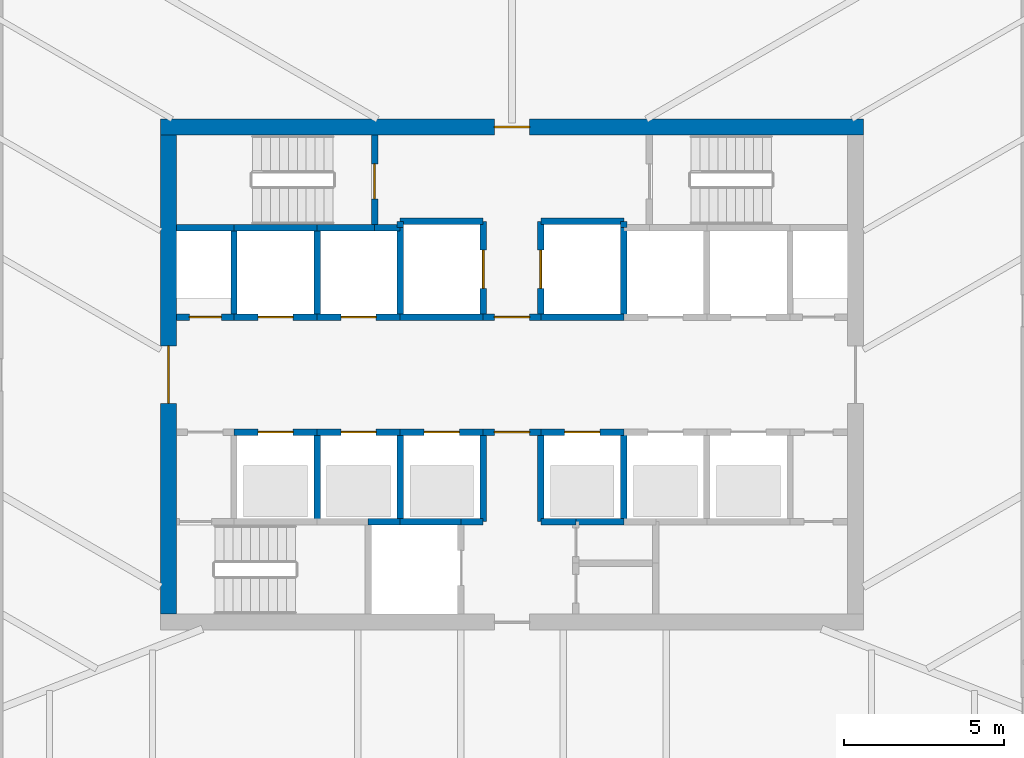
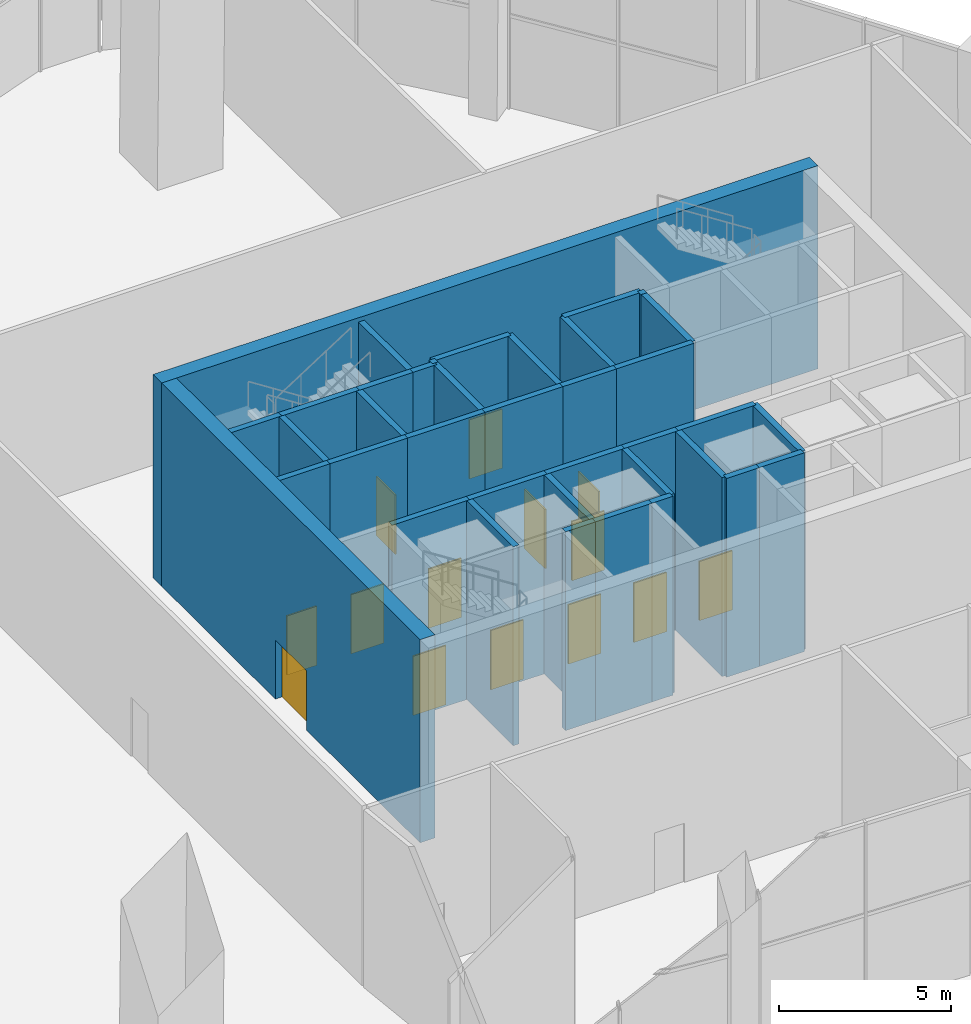
# One storey, part 10 of 15: 38 walls, 14 doors, 14 openings.
"""IFC4 building model written with IfcOpenShell, lengths in metres."""

from ifc_helpers import new_model, si_unit, direction, frame, frame_2d, origin, place, context, subcontext, project, spatial, rectangle, extrude, material, layer, layer_set, type_object, element, fill, save


model = new_model("IFC4")

# Units and contexts
model_context = context("Model", 3, precision=1e-05, world=origin(), true_north=direction((0.0, 1.0)))
body_context = subcontext(model_context, "Body", "Model", "MODEL_VIEW")
ifc_project = project(units=[si_unit("LENGTHUNIT", "METRE"), si_unit("AREAUNIT", "SQUARE_METRE"), si_unit("VOLUMEUNIT", "CUBIC_METRE"), si_unit("PLANEANGLEUNIT", "RADIAN"), si_unit("MASSUNIT", "GRAM", prefix="KILO")], contexts=[model_context])

# Site, building, storey
site_placement = place(None, origin())
site = spatial("IfcSite", under=ifc_project, at=site_placement, CompositionType="ELEMENT")
building_placement = place(site_placement, origin())
building = spatial("IfcBuilding", under=site, at=building_placement, Name="Sierra Prisma Convention Tower", CompositionType="ELEMENT")
storey_placement = place(building_placement, frame((0.0, 0.0, 219.800048828125)))
storey = spatial("IfcBuildingStorey", under=building, at=storey_placement, Name="L49", CompositionType="ELEMENT", Elevation=219.800048828125)

# Wall, opening, door
ifc_material_1 = material(Name="Concrete C30/37", Category="concrete")
ifc_layer_1 = layer(ifc_material_1, 0.199951171875)
ifc_layer_set_1 = layer_set([ifc_layer_1], Name="Core wall RC 200 C30/37")
wall_type_1 = type_object("IfcWallType", Name="Core wall RC 200 C30/37", PredefinedType="SOLIDWALL", material=ifc_layer_set_1)
wall_1_placement = place(storey_placement, frame((-8.699951171875, 1.800048828125, 0.0), z_axis=(0.0, 0.0, 1.0), x_axis=(-1.0, 0.0, 0.0)))
wall_1 = element("IfcWall", 1, at=wall_1_placement, inside=storey, type_object=wall_type_1, Name="Core wall L49 3", PredefinedType="SOLIDWALL", context=body_context, shape_type="SweptSolid", body=[
    extrude(rectangle(XDim=1.800048828125, YDim=0.199951171875, at=frame_2d((0.89990234375, 0.0))), origin(), (0.0, 0.0, 1.0), 7.050048828125),
])
opening_1_placement = place(wall_1_placement, frame((0.39990234375, 0.0, 0.0)))
opening_1 = element("IfcOpeningElement", 2, at=opening_1_placement, cuts=wall_1, Name="Opening L49-D017", PredefinedType="OPENING", context=body_context, shape_type="SweptSolid", body=[
    extrude(rectangle(XDim=1.0, YDim=2.10009765625, at=frame_2d((0.5, 1.050048828125))), frame((0.0, 0.10009765625, 0.0), z_axis=(0.0, -1.0, 0.0), x_axis=(1.0, 0.0, 0.0)), (0.0, 0.0, 1.0), 0.199951171875),
])
ifc_material_2 = material(Name="Steel fire door leaf", Category="steel")
door_type_1 = type_object("IfcDoorType", Name="Door 1000x2100 FD60S", OperationType="SINGLE_SWING_LEFT", PredefinedType="DOOR", material=ifc_material_2)
door_1_placement = place(opening_1_placement, origin())
door_1 = element("IfcDoor", 3, at=door_1_placement, inside=storey, type_object=door_type_1, Name="Door L49 26", OperationType="SINGLE_SWING_LEFT", OverallHeight=2.10009765625, OverallWidth=1.0, PredefinedType="DOOR", context=body_context, shape_type="SweptSolid", body=[
    extrude(rectangle(XDim=1.0, YDim=2.10009765625, at=frame_2d((0.5, 1.050048828125))), frame((0.0, 0.02490234375, 0.0), z_axis=(0.0, -1.0, 0.0), x_axis=(1.0, 0.0, 0.0)), (0.0, 0.0, 1.0), 0.050048828125),
])
fill(opening_1, door_1)

# Wall
wall_2_placement = place(storey_placement, frame((-8.699951171875, 4.60009765625, 0.0), z_axis=(0.0, 0.0, 1.0), x_axis=(-1.0, 0.0, 0.0)))
element("IfcWall", 4, at=wall_2_placement, inside=storey, type_object=wall_type_1, Name="Core wall L49 4", PredefinedType="SOLIDWALL", context=body_context, shape_type="SweptSolid", body=[
    extrude(rectangle(XDim=1.800048828125, YDim=0.199951171875, at=frame_2d((0.89990234375, 0.0))), origin(), (0.0, 0.0, 1.0), 7.050048828125),
])

# Wall, opening, door
wall_3_placement = place(storey_placement, frame((-8.699951171875, -1.800048828125, 0.0), z_axis=(0.0, 0.0, 1.0), x_axis=(1.0, 0.0, 0.0)))
wall_3 = element("IfcWall", 5, at=wall_3_placement, inside=storey, type_object=wall_type_1, Name="Core wall L49 7", PredefinedType="SOLIDWALL", context=body_context, shape_type="SweptSolid", body=[
    extrude(rectangle(XDim=2.599853515625, YDim=0.199951171875, at=frame_2d((1.2998046875, 0.0))), origin(), (0.0, 0.0, 1.0), 7.050048828125),
])
opening_2_placement = place(wall_3_placement, frame((0.75, 0.0, 0.0)))
opening_2 = element("IfcOpeningElement", 6, at=opening_2_placement, cuts=wall_3, Name="Opening L49-D001", PredefinedType="OPENING", context=body_context, shape_type="SweptSolid", body=[
    extrude(rectangle(XDim=1.10009765625, YDim=2.10009765625, at=frame_2d((0.550048828125, 1.050048828125))), frame((0.0, 0.10009765625, 0.0), z_axis=(0.0, -1.0, 0.0), x_axis=(1.0, 0.0, 0.0)), (0.0, 0.0, 1.0), 0.199951171875),
])
ifc_material_3 = material(Name="Steel fire door leaf", Category="steel")
door_type_2 = type_object("IfcDoorType", Name="Door 1100x2100 EI 90 sliding lift landing", OperationType="SLIDING_TO_LEFT", PredefinedType="DOOR", material=ifc_material_3)
door_2_placement = place(opening_2_placement, origin())
door_2 = element("IfcDoor", 7, at=door_2_placement, inside=storey, type_object=door_type_2, Name="Door L49 10", OperationType="SLIDING_TO_LEFT", OverallHeight=2.10009765625, OverallWidth=1.10009765625, PredefinedType="DOOR", context=body_context, shape_type="SweptSolid", body=[
    extrude(rectangle(XDim=1.10009765625, YDim=2.10009765625, at=frame_2d((0.550048828125, 1.050048828125))), frame((0.0, 0.02490234375, 0.0), z_axis=(0.0, -1.0, 0.0), x_axis=(1.0, 0.0, 0.0)), (0.0, 0.0, 1.0), 0.050048828125),
])
fill(opening_2, door_2)

wall_4_placement = place(storey_placement, frame((-6.10009765625, 1.800048828125, 0.0), z_axis=(0.0, 0.0, 1.0), x_axis=(-1.0, 0.0, 0.0)))
wall_4 = element("IfcWall", 8, at=wall_4_placement, inside=storey, type_object=wall_type_1, Name="Core wall L49 8", PredefinedType="SOLIDWALL", context=body_context, shape_type="SweptSolid", body=[
    extrude(rectangle(XDim=2.599853515625, YDim=0.199951171875, at=frame_2d((1.2998046875, 0.0))), origin(), (0.0, 0.0, 1.0), 7.050048828125),
])
opening_3_placement = place(wall_4_placement, frame((0.75, 0.0, 0.0)))
opening_3 = element("IfcOpeningElement", 9, at=opening_3_placement, cuts=wall_4, Name="Opening L49-D007", PredefinedType="OPENING", context=body_context, shape_type="SweptSolid", body=[
    extrude(rectangle(XDim=1.10009765625, YDim=2.10009765625, at=frame_2d((0.550048828125, 1.050048828125))), frame((0.0, 0.10009765625, 0.0), z_axis=(0.0, -1.0, 0.0), x_axis=(1.0, 0.0, 0.0)), (0.0, 0.0, 1.0), 0.199951171875),
])
door_3_placement = place(opening_3_placement, origin())
door_3 = element("IfcDoor", 10, at=door_3_placement, inside=storey, type_object=door_type_2, Name="Door L49 16", OperationType="SLIDING_TO_RIGHT", OverallHeight=2.10009765625, OverallWidth=1.10009765625, PredefinedType="DOOR", context=body_context, shape_type="SweptSolid", body=[
    extrude(rectangle(XDim=1.10009765625, YDim=2.10009765625, at=frame_2d((0.550048828125, 1.050048828125))), frame((0.0, 0.02490234375, 0.0), z_axis=(0.0, -1.0, 0.0), x_axis=(1.0, 0.0, 0.0)), (0.0, 0.0, 1.0), 0.050048828125),
])
fill(opening_3, door_3)

# Walls
wall_5_placement = place(storey_placement, frame((-8.699951171875, 1.800048828125, 0.0), z_axis=(0.0, 0.0, 1.0), x_axis=(0.0, 1.0, 0.0)))
element("IfcWall", 11, at=wall_5_placement, inside=storey, type_object=wall_type_1, Name="Core wall L49 9", PredefinedType="SOLIDWALL", context=body_context, shape_type="SweptSolid", body=[
    extrude(rectangle(XDim=2.800048828125, YDim=0.199951171875, at=frame_2d((1.39990234375, 0.0))), origin(), (0.0, 0.0, 1.0), 7.050048828125),
])
wall_6_placement = place(storey_placement, frame((-6.10009765625, 4.60009765625, 0.0), z_axis=(0.0, 0.0, 1.0), x_axis=(-1.0, 0.0, 0.0)))
element("IfcWall", 12, at=wall_6_placement, inside=storey, type_object=wall_type_1, Name="Core wall L49 10", PredefinedType="SOLIDWALL", context=body_context, shape_type="SweptSolid", body=[
    extrude(rectangle(XDim=2.599853515625, YDim=0.199951171875, at=frame_2d((1.2998046875, 0.0))), origin(), (0.0, 0.0, 1.0), 7.050048828125),
])
wall_7_placement = place(storey_placement, frame((-6.10009765625, -4.60009765625, 0.0), z_axis=(0.0, 0.0, 1.0), x_axis=(0.0, 1.0, 0.0)))
element("IfcWall", 13, at=wall_7_placement, inside=storey, type_object=wall_type_1, Name="Core wall L49 12", PredefinedType="SOLIDWALL", context=body_context, shape_type="SweptSolid", body=[
    extrude(rectangle(XDim=2.800048828125, YDim=0.199951171875, at=frame_2d((1.39990234375, 0.0))), origin(), (0.0, 0.0, 1.0), 7.050048828125),
])

# Wall, opening, door
wall_8_placement = place(storey_placement, frame((-6.10009765625, -1.800048828125, 0.0), z_axis=(0.0, 0.0, 1.0), x_axis=(1.0, 0.0, 0.0)))
wall_8 = element("IfcWall", 14, at=wall_8_placement, inside=storey, type_object=wall_type_1, Name="Core wall L49 13", PredefinedType="SOLIDWALL", context=body_context, shape_type="SweptSolid", body=[
    extrude(rectangle(XDim=2.60009765625, YDim=0.199951171875, at=frame_2d((1.300048828125, 0.0))), origin(), (0.0, 0.0, 1.0), 7.050048828125),
])
opening_4_placement = place(wall_8_placement, frame((0.75, 0.0, 0.0)))
opening_4 = element("IfcOpeningElement", 15, at=opening_4_placement, cuts=wall_8, Name="Opening L49-D002", PredefinedType="OPENING", context=body_context, shape_type="SweptSolid", body=[
    extrude(rectangle(XDim=1.10009765625, YDim=2.10009765625, at=frame_2d((0.550048828125, 1.050048828125))), frame((0.0, 0.10009765625, 0.0), z_axis=(0.0, -1.0, 0.0), x_axis=(1.0, 0.0, 0.0)), (0.0, 0.0, 1.0), 0.199951171875),
])
door_4_placement = place(opening_4_placement, origin())
door_4 = element("IfcDoor", 16, at=door_4_placement, inside=storey, type_object=door_type_2, Name="Door L49 11", OperationType="SLIDING_TO_LEFT", OverallHeight=2.10009765625, OverallWidth=1.10009765625, PredefinedType="DOOR", context=body_context, shape_type="SweptSolid", body=[
    extrude(rectangle(XDim=1.10009765625, YDim=2.10009765625, at=frame_2d((0.550048828125, 1.050048828125))), frame((0.0, 0.02490234375, 0.0), z_axis=(0.0, -1.0, 0.0), x_axis=(1.0, 0.0, 0.0)), (0.0, 0.0, 1.0), 0.050048828125),
])
fill(opening_4, door_4)

wall_9_placement = place(storey_placement, frame((-3.5, 1.800048828125, 0.0), z_axis=(0.0, 0.0, 1.0), x_axis=(-1.0, 0.0, 0.0)))
wall_9 = element("IfcWall", 17, at=wall_9_placement, inside=storey, type_object=wall_type_1, Name="Core wall L49 14", PredefinedType="SOLIDWALL", context=body_context, shape_type="SweptSolid", body=[
    extrude(rectangle(XDim=2.60009765625, YDim=0.199951171875, at=frame_2d((1.300048828125, 0.0))), origin(), (0.0, 0.0, 1.0), 7.050048828125),
])
opening_5_placement = place(wall_9_placement, frame((0.75, 0.0, 0.0)))
opening_5 = element("IfcOpeningElement", 18, at=opening_5_placement, cuts=wall_9, Name="Opening L49-D008", PredefinedType="OPENING", context=body_context, shape_type="SweptSolid", body=[
    extrude(rectangle(XDim=1.10009765625, YDim=2.10009765625, at=frame_2d((0.550048828125, 1.050048828125))), frame((0.0, 0.10009765625, 0.0), z_axis=(0.0, -1.0, 0.0), x_axis=(1.0, 0.0, 0.0)), (0.0, 0.0, 1.0), 0.199951171875),
])
door_5_placement = place(opening_5_placement, origin())
door_5 = element("IfcDoor", 19, at=door_5_placement, inside=storey, type_object=door_type_2, Name="Door L49 17", OperationType="SLIDING_TO_LEFT", OverallHeight=2.10009765625, OverallWidth=1.10009765625, PredefinedType="DOOR", context=body_context, shape_type="SweptSolid", body=[
    extrude(rectangle(XDim=1.10009765625, YDim=2.10009765625, at=frame_2d((0.550048828125, 1.050048828125))), frame((0.0, 0.02490234375, 0.0), z_axis=(0.0, -1.0, 0.0), x_axis=(1.0, 0.0, 0.0)), (0.0, 0.0, 1.0), 0.050048828125),
])
fill(opening_5, door_5)

# Walls
wall_10_placement = place(storey_placement, frame((-6.10009765625, 1.800048828125, 0.0), z_axis=(0.0, 0.0, 1.0), x_axis=(0.0, 1.0, 0.0)))
element("IfcWall", 20, at=wall_10_placement, inside=storey, type_object=wall_type_1, Name="Core wall L49 15", PredefinedType="SOLIDWALL", context=body_context, shape_type="SweptSolid", body=[
    extrude(rectangle(XDim=2.800048828125, YDim=0.199951171875, at=frame_2d((1.39990234375, 0.0))), origin(), (0.0, 0.0, 1.0), 7.050048828125),
])
wall_11_placement = place(storey_placement, frame((-4.300048828125, 4.60009765625, 0.0), z_axis=(0.0, 0.0, 1.0), x_axis=(-1.0, 0.0, 0.0)))
element("IfcWall", 21, at=wall_11_placement, inside=storey, type_object=wall_type_1, Name="Core wall L49 16", PredefinedType="SOLIDWALL", context=body_context, shape_type="SweptSolid", body=[
    extrude(rectangle(XDim=1.800048828125, YDim=0.199951171875, at=frame_2d((0.89990234375, 0.0))), origin(), (0.0, 0.0, 1.0), 7.050048828125),
])
wall_12_placement = place(storey_placement, frame((-4.5, -4.60009765625, 0.0), z_axis=(0.0, 0.0, 1.0), x_axis=(1.0, 0.0, 0.0)))
element("IfcWall", 22, at=wall_12_placement, inside=storey, type_object=wall_type_1, Name="Core wall L49 18", PredefinedType="SOLIDWALL", context=body_context, shape_type="SweptSolid", body=[
    extrude(rectangle(XDim=1.0, YDim=0.199951171875, at=frame_2d((0.5, 0.0))), origin(), (0.0, 0.0, 1.0), 7.050048828125),
])
wall_13_placement = place(storey_placement, frame((-3.5, 4.60009765625, 0.0), z_axis=(0.0, 0.0, 1.0), x_axis=(-1.0, 0.0, 0.0)))
element("IfcWall", 23, at=wall_13_placement, inside=storey, type_object=wall_type_1, Name="Core wall L49 19", PredefinedType="SOLIDWALL", context=body_context, shape_type="SweptSolid", body=[
    extrude(rectangle(XDim=0.800048828125, YDim=0.199951171875, at=frame_2d((0.39990234375, 0.0))), origin(), (0.0, 0.0, 1.0), 7.050048828125),
])

# Wall, opening, door
wall_14_placement = place(storey_placement, frame((-4.300048828125, 4.60009765625, 0.0), z_axis=(0.0, 0.0, 1.0), x_axis=(0.0, 1.0, 0.0)))
wall_14 = element("IfcWall", 24, at=wall_14_placement, inside=storey, type_object=wall_type_1, Name="Core wall L49 20", PredefinedType="SOLIDWALL", context=body_context, shape_type="SweptSolid", body=[
    extrude(rectangle(XDim=2.89990234375, YDim=0.199951171875, at=frame_2d((1.449951171875, 0.0))), origin(), (0.0, 0.0, 1.0), 7.050048828125),
])
opening_6_placement = place(wall_14_placement, frame((0.89990234375, 0.0, 0.0)))
opening_6 = element("IfcOpeningElement", 25, at=opening_6_placement, cuts=wall_14, Name="Opening L49-D020", PredefinedType="OPENING", context=body_context, shape_type="SweptSolid", body=[
    extrude(rectangle(XDim=1.10009765625, YDim=2.10009765625, at=frame_2d((0.550048828125, 1.050048828125))), frame((0.0, 0.10009765625, 0.0), z_axis=(0.0, -1.0, 0.0), x_axis=(1.0, 0.0, 0.0)), (0.0, 0.0, 1.0), 0.199951171875),
])
ifc_material_4 = material(Name="Steel fire door leaf", Category="steel")
door_type_3 = type_object("IfcDoorType", Name="Door 1100x2100 FD90S", OperationType="SINGLE_SWING_LEFT", PredefinedType="DOOR", material=ifc_material_4)
door_6_placement = place(opening_6_placement, origin())
door_6 = element("IfcDoor", 26, at=door_6_placement, inside=storey, type_object=door_type_3, Name="Door L49 29", OperationType="SINGLE_SWING_LEFT", OverallHeight=2.10009765625, OverallWidth=1.10009765625, PredefinedType="DOOR", context=body_context, shape_type="SweptSolid", body=[
    extrude(rectangle(XDim=1.10009765625, YDim=2.10009765625, at=frame_2d((0.550048828125, 1.050048828125))), frame((0.0, 0.02490234375, 0.0), z_axis=(0.0, -1.0, 0.0), x_axis=(1.0, 0.0, 0.0)), (0.0, 0.0, 1.0), 0.050048828125),
])
fill(opening_6, door_6)

# Walls
wall_15_placement = place(storey_placement, frame((-3.5, -4.60009765625, 0.0), z_axis=(0.0, 0.0, 1.0), x_axis=(1.0, 0.0, 0.0)))
element("IfcWall", 27, at=wall_15_placement, inside=storey, type_object=wall_type_1, Name="Core wall L49 21", PredefinedType="SOLIDWALL", context=body_context, shape_type="SweptSolid", body=[
    extrude(rectangle(XDim=1.89990234375, YDim=0.199951171875, at=frame_2d((0.949951171875, 0.0))), origin(), (0.0, 0.0, 1.0), 7.050048828125),
])
wall_16_placement = place(storey_placement, frame((-3.5, -4.60009765625, 0.0), z_axis=(0.0, 0.0, 1.0), x_axis=(0.0, 1.0, 0.0)))
element("IfcWall", 28, at=wall_16_placement, inside=storey, type_object=wall_type_1, Name="Core wall L49 22", PredefinedType="SOLIDWALL", context=body_context, shape_type="SweptSolid", body=[
    extrude(rectangle(XDim=2.800048828125, YDim=0.199951171875, at=frame_2d((1.39990234375, 0.0))), origin(), (0.0, 0.0, 1.0), 7.050048828125),
])

# Wall, opening, door
wall_17_placement = place(storey_placement, frame((-3.5, -1.800048828125, 0.0), z_axis=(0.0, 0.0, 1.0), x_axis=(1.0, 0.0, 0.0)))
wall_17 = element("IfcWall", 29, at=wall_17_placement, inside=storey, type_object=wall_type_1, Name="Core wall L49 23", PredefinedType="SOLIDWALL", context=body_context, shape_type="SweptSolid", body=[
    extrude(rectangle(XDim=2.60009765625, YDim=0.199951171875, at=frame_2d((1.300048828125, 0.0))), origin(), (0.0, 0.0, 1.0), 7.050048828125),
])
opening_7_placement = place(wall_17_placement, frame((0.75, 0.0, 0.0)))
opening_7 = element("IfcOpeningElement", 30, at=opening_7_placement, cuts=wall_17, Name="Opening L49-D003", PredefinedType="OPENING", context=body_context, shape_type="SweptSolid", body=[
    extrude(rectangle(XDim=1.10009765625, YDim=2.10009765625, at=frame_2d((0.550048828125, 1.050048828125))), frame((0.0, 0.10009765625, 0.0), z_axis=(0.0, -1.0, 0.0), x_axis=(1.0, 0.0, 0.0)), (0.0, 0.0, 1.0), 0.199951171875),
])
door_7_placement = place(opening_7_placement, origin())
door_7 = element("IfcDoor", 31, at=door_7_placement, inside=storey, type_object=door_type_2, Name="Door L49 12", OperationType="SLIDING_TO_LEFT", OverallHeight=2.10009765625, OverallWidth=1.10009765625, PredefinedType="DOOR", context=body_context, shape_type="SweptSolid", body=[
    extrude(rectangle(XDim=1.10009765625, YDim=2.10009765625, at=frame_2d((0.550048828125, 1.050048828125))), frame((0.0, 0.02490234375, 0.0), z_axis=(0.0, -1.0, 0.0), x_axis=(1.0, 0.0, 0.0)), (0.0, 0.0, 1.0), 0.050048828125),
])
fill(opening_7, door_7)

# Walls
wall_18_placement = place(storey_placement, frame((-0.89990234375, 1.800048828125, 0.0), z_axis=(0.0, 0.0, 1.0), x_axis=(-1.0, 0.0, 0.0)))
element("IfcWall", 32, at=wall_18_placement, inside=storey, type_object=wall_type_1, Name="Core wall L49 24", PredefinedType="SOLIDWALL", context=body_context, shape_type="SweptSolid", body=[
    extrude(rectangle(XDim=2.60009765625, YDim=0.199951171875, at=frame_2d((1.300048828125, 0.0))), origin(), (0.0, 0.0, 1.0), 7.050048828125),
])
wall_19_placement = place(storey_placement, frame((-3.5, 4.60009765625, 0.0), z_axis=(0.0, 0.0, 1.0), x_axis=(0.0, -1.0, 0.0)))
element("IfcWall", 33, at=wall_19_placement, inside=storey, type_object=wall_type_1, Name="Core wall L49 25", PredefinedType="SOLIDWALL", context=body_context, shape_type="SweptSolid", body=[
    extrude(rectangle(XDim=2.800048828125, YDim=0.199951171875, at=frame_2d((1.39990234375, 0.0))), origin(), (0.0, 0.0, 1.0), 7.050048828125),
])

# Wall, opening, door
wall_20_placement = place(storey_placement, frame((-0.89990234375, 1.800048828125, 0.0), z_axis=(0.0, 0.0, 1.0), x_axis=(0.0, 1.0, 0.0)))
wall_20 = element("IfcWall", 34, at=wall_20_placement, inside=storey, type_object=wall_type_1, Name="Core wall L49 26", PredefinedType="SOLIDWALL", context=body_context, shape_type="SweptSolid", body=[
    extrude(rectangle(XDim=3.0, YDim=0.199951171875, at=frame_2d((1.5, 0.0))), origin(), (0.0, 0.0, 1.0), 7.050048828125),
])
opening_8_placement = place(wall_20_placement, frame((0.89990234375, 0.0, 0.0)))
opening_8 = element("IfcOpeningElement", 35, at=opening_8_placement, cuts=wall_20, Name="Opening L49-D011", PredefinedType="OPENING", context=body_context, shape_type="SweptSolid", body=[
    extrude(rectangle(XDim=1.199951171875, YDim=2.10009765625, at=frame_2d((0.60009765625, 1.050048828125))), frame((0.0, 0.10009765625, 0.0), z_axis=(0.0, -1.0, 0.0), x_axis=(1.0, 0.0, 0.0)), (0.0, 0.0, 1.0), 0.199951171875),
])
ifc_material_5 = material(Name="Steel fire door leaf", Category="steel")
door_type_4 = type_object("IfcDoorType", Name="Door 1200x2100 EI 90 sliding lift landing", OperationType="SLIDING_TO_LEFT", PredefinedType="DOOR", material=ifc_material_5)
door_8_placement = place(opening_8_placement, origin())
door_8 = element("IfcDoor", 36, at=door_8_placement, inside=storey, type_object=door_type_4, Name="Door L49 20", OperationType="SLIDING_TO_RIGHT", OverallHeight=2.10009765625, OverallWidth=1.199951171875, PredefinedType="DOOR", context=body_context, shape_type="SweptSolid", body=[
    extrude(rectangle(XDim=1.199951171875, YDim=2.10009765625, at=frame_2d((0.60009765625, 1.050048828125))), frame((0.0, 0.02490234375, 0.0), z_axis=(0.0, -1.0, 0.0), x_axis=(1.0, 0.0, 0.0)), (0.0, 0.0, 1.0), 0.050048828125),
])
fill(opening_8, door_8)

# Walls
wall_21_placement = place(storey_placement, frame((-0.89990234375, 4.800048828125, 0.0), z_axis=(0.0, 0.0, 1.0), x_axis=(-1.0, 0.0, 0.0)))
element("IfcWall", 37, at=wall_21_placement, inside=storey, type_object=wall_type_1, Name="Core wall L49 27", PredefinedType="SOLIDWALL", context=body_context, shape_type="SweptSolid", body=[
    extrude(rectangle(XDim=2.60009765625, YDim=0.199951171875, at=frame_2d((1.300048828125, 0.0))), origin(), (0.0, 0.0, 1.0), 7.050048828125),
])
wall_22_placement = place(storey_placement, frame((-3.5, 4.800048828125, 0.0), z_axis=(0.0, 0.0, 1.0), x_axis=(0.0, -1.0, 0.0)))
element("IfcWall", 38, at=wall_22_placement, inside=storey, type_object=wall_type_1, Name="Core wall L49 28", PredefinedType="SOLIDWALL", context=body_context, shape_type="SweptSolid", body=[
    extrude(rectangle(XDim=0.199951171875, YDim=0.199951171875, at=frame_2d((0.10009765625, 0.0))), origin(), (0.0, 0.0, 1.0), 7.050048828125),
])
wall_23_placement = place(storey_placement, frame((-1.60009765625, -4.60009765625, 0.0), z_axis=(0.0, 0.0, 1.0), x_axis=(1.0, 0.0, 0.0)))
element("IfcWall", 39, at=wall_23_placement, inside=storey, type_object=wall_type_1, Name="Core wall L49 30", PredefinedType="SOLIDWALL", context=body_context, shape_type="SweptSolid", body=[
    extrude(rectangle(XDim=0.7001953125, YDim=0.199951171875, at=frame_2d((0.35009765625, 0.0))), origin(), (0.0, 0.0, 1.0), 7.050048828125),
])
wall_24_placement = place(storey_placement, frame((-0.89990234375, -4.60009765625, 0.0), z_axis=(0.0, 0.0, 1.0), x_axis=(0.0, 1.0, 0.0)))
element("IfcWall", 40, at=wall_24_placement, inside=storey, type_object=wall_type_1, Name="Core wall L49 31", PredefinedType="SOLIDWALL", context=body_context, shape_type="SweptSolid", body=[
    extrude(rectangle(XDim=2.800048828125, YDim=0.199951171875, at=frame_2d((1.39990234375, 0.0))), origin(), (0.0, 0.0, 1.0), 7.050048828125),
])

# Wall, opening, door
wall_25_placement = place(storey_placement, frame((-0.89990234375, -1.800048828125, 0.0), z_axis=(0.0, 0.0, 1.0), x_axis=(1.0, 0.0, 0.0)))
wall_25 = element("IfcWall", 41, at=wall_25_placement, inside=storey, type_object=wall_type_1, Name="Core wall L49 32", PredefinedType="SOLIDWALL", context=body_context, shape_type="SweptSolid", body=[
    extrude(rectangle(XDim=1.7998046875, YDim=0.199951171875, at=frame_2d((0.89990234375, 0.0))), origin(), (0.0, 0.0, 1.0), 7.050048828125),
])
opening_9_placement = place(wall_25_placement, frame((0.35009765625, 0.0, 0.0)))
opening_9 = element("IfcOpeningElement", 42, at=opening_9_placement, cuts=wall_25, Name="Opening L49-D016", PredefinedType="OPENING", context=body_context, shape_type="SweptSolid", body=[
    extrude(rectangle(XDim=1.10009765625, YDim=2.10009765625, at=frame_2d((0.550048828125, 1.050048828125))), frame((0.0, 0.10009765625, 0.0), z_axis=(0.0, -1.0, 0.0), x_axis=(1.0, 0.0, 0.0)), (0.0, 0.0, 1.0), 0.199951171875),
])
ifc_material_6 = material(Name="Steel fire door leaf", Category="steel")
door_type_5 = type_object("IfcDoorType", Name="Door 1100x2100 FD30S", OperationType="SINGLE_SWING_LEFT", PredefinedType="DOOR", material=ifc_material_6)
door_9_placement = place(opening_9_placement, origin())
door_9 = element("IfcDoor", 43, at=door_9_placement, inside=storey, type_object=door_type_5, Name="Door L49 25", OperationType="SINGLE_SWING_LEFT", OverallHeight=2.10009765625, OverallWidth=1.10009765625, PredefinedType="DOOR", context=body_context, shape_type="SweptSolid", body=[
    extrude(rectangle(XDim=1.10009765625, YDim=2.10009765625, at=frame_2d((0.550048828125, 1.050048828125))), frame((0.0, 0.02490234375, 0.0), z_axis=(0.0, -1.0, 0.0), x_axis=(1.0, 0.0, 0.0)), (0.0, 0.0, 1.0), 0.050048828125),
])
fill(opening_9, door_9)

wall_26_placement = place(storey_placement, frame((0.89990234375, 1.800048828125, 0.0), z_axis=(0.0, 0.0, 1.0), x_axis=(-1.0, 0.0, 0.0)))
wall_26 = element("IfcWall", 44, at=wall_26_placement, inside=storey, type_object=wall_type_1, Name="Core wall L49 33", PredefinedType="SOLIDWALL", context=body_context, shape_type="SweptSolid", body=[
    extrude(rectangle(XDim=1.7998046875, YDim=0.199951171875, at=frame_2d((0.89990234375, 0.0))), origin(), (0.0, 0.0, 1.0), 7.050048828125),
])
opening_10_placement = place(wall_26_placement, frame((0.35009765625, 0.0, 0.0)))
opening_10 = element("IfcOpeningElement", 45, at=opening_10_placement, cuts=wall_26, Name="Opening L49-D015", PredefinedType="OPENING", context=body_context, shape_type="SweptSolid", body=[
    extrude(rectangle(XDim=1.10009765625, YDim=2.10009765625, at=frame_2d((0.550048828125, 1.050048828125))), frame((0.0, 0.10009765625, 0.0), z_axis=(0.0, -1.0, 0.0), x_axis=(1.0, 0.0, 0.0)), (0.0, 0.0, 1.0), 0.199951171875),
])
ifc_material_7 = material(Name="Steel fire door leaf", Category="steel")
door_type_6 = type_object("IfcDoorType", Name="Door 1100x2100 FD60S", OperationType="SINGLE_SWING_LEFT", PredefinedType="DOOR", material=ifc_material_7)
door_10_placement = place(opening_10_placement, origin())
door_10 = element("IfcDoor", 46, at=door_10_placement, inside=storey, type_object=door_type_6, Name="Door L49 24", OperationType="SINGLE_SWING_RIGHT", OverallHeight=2.10009765625, OverallWidth=1.10009765625, PredefinedType="DOOR", context=body_context, shape_type="SweptSolid", body=[
    extrude(rectangle(XDim=1.10009765625, YDim=2.10009765625, at=frame_2d((0.550048828125, 1.050048828125))), frame((0.0, 0.02490234375, 0.0), z_axis=(0.0, -1.0, 0.0), x_axis=(1.0, 0.0, 0.0)), (0.0, 0.0, 1.0), 0.050048828125),
])
fill(opening_10, door_10)

wall_27_placement = place(storey_placement, frame((0.89990234375, -1.800048828125, 0.0), z_axis=(0.0, 0.0, 1.0), x_axis=(1.0, 0.0, 0.0)))
wall_27 = element("IfcWall", 47, at=wall_27_placement, inside=storey, type_object=wall_type_1, Name="Core wall L49 34", PredefinedType="SOLIDWALL", context=body_context, shape_type="SweptSolid", body=[
    extrude(rectangle(XDim=2.60009765625, YDim=0.199951171875, at=frame_2d((1.300048828125, 0.0))), origin(), (0.0, 0.0, 1.0), 7.050048828125),
])
opening_11_placement = place(wall_27_placement, frame((0.75, 0.0, 0.0)))
opening_11 = element("IfcOpeningElement", 48, at=opening_11_placement, cuts=wall_27, Name="Opening L49-D004", PredefinedType="OPENING", context=body_context, shape_type="SweptSolid", body=[
    extrude(rectangle(XDim=1.10009765625, YDim=2.10009765625, at=frame_2d((0.550048828125, 1.050048828125))), frame((0.0, 0.10009765625, 0.0), z_axis=(0.0, -1.0, 0.0), x_axis=(1.0, 0.0, 0.0)), (0.0, 0.0, 1.0), 0.199951171875),
])
door_11_placement = place(opening_11_placement, origin())
door_11 = element("IfcDoor", 49, at=door_11_placement, inside=storey, type_object=door_type_2, Name="Door L49 13", OperationType="SLIDING_TO_LEFT", OverallHeight=2.10009765625, OverallWidth=1.10009765625, PredefinedType="DOOR", context=body_context, shape_type="SweptSolid", body=[
    extrude(rectangle(XDim=1.10009765625, YDim=2.10009765625, at=frame_2d((0.550048828125, 1.050048828125))), frame((0.0, 0.02490234375, 0.0), z_axis=(0.0, -1.0, 0.0), x_axis=(1.0, 0.0, 0.0)), (0.0, 0.0, 1.0), 0.050048828125),
])
fill(opening_11, door_11)

# Walls
wall_28_placement = place(storey_placement, frame((0.89990234375, -1.800048828125, 0.0), z_axis=(0.0, 0.0, 1.0), x_axis=(0.0, -1.0, 0.0)))
element("IfcWall", 50, at=wall_28_placement, inside=storey, type_object=wall_type_1, Name="Core wall L49 35", PredefinedType="SOLIDWALL", context=body_context, shape_type="SweptSolid", body=[
    extrude(rectangle(XDim=2.800048828125, YDim=0.199951171875, at=frame_2d((1.39990234375, 0.0))), origin(), (0.0, 0.0, 1.0), 7.050048828125),
])
wall_29_placement = place(storey_placement, frame((0.89990234375, -4.60009765625, 0.0), z_axis=(0.0, 0.0, 1.0), x_axis=(1.0, 0.0, 0.0)))
element("IfcWall", 51, at=wall_29_placement, inside=storey, type_object=wall_type_1, Name="Core wall L49 36", PredefinedType="SOLIDWALL", context=body_context, shape_type="SweptSolid", body=[
    extrude(rectangle(XDim=1.10009765625, YDim=0.199951171875, at=frame_2d((0.550048828125, 0.0))), origin(), (0.0, 0.0, 1.0), 7.050048828125),
])
wall_30_placement = place(storey_placement, frame((3.5, 1.800048828125, 0.0), z_axis=(0.0, 0.0, 1.0), x_axis=(-1.0, 0.0, 0.0)))
element("IfcWall", 52, at=wall_30_placement, inside=storey, type_object=wall_type_1, Name="Core wall L49 37", PredefinedType="SOLIDWALL", context=body_context, shape_type="SweptSolid", body=[
    extrude(rectangle(XDim=2.60009765625, YDim=0.199951171875, at=frame_2d((1.300048828125, 0.0))), origin(), (0.0, 0.0, 1.0), 7.050048828125),
])
wall_31_placement = place(storey_placement, frame((3.5, 4.60009765625, 0.0), z_axis=(0.0, 0.0, 1.0), x_axis=(0.0, 1.0, 0.0)))
element("IfcWall", 53, at=wall_31_placement, inside=storey, type_object=wall_type_1, Name="Core wall L49 38", PredefinedType="SOLIDWALL", context=body_context, shape_type="SweptSolid", body=[
    extrude(rectangle(XDim=0.199951171875, YDim=0.199951171875, at=frame_2d((0.10009765625, 0.0))), origin(), (0.0, 0.0, 1.0), 7.050048828125),
])
wall_32_placement = place(storey_placement, frame((3.5, 4.800048828125, 0.0), z_axis=(0.0, 0.0, 1.0), x_axis=(-1.0, 0.0, 0.0)))
element("IfcWall", 54, at=wall_32_placement, inside=storey, type_object=wall_type_1, Name="Core wall L49 39", PredefinedType="SOLIDWALL", context=body_context, shape_type="SweptSolid", body=[
    extrude(rectangle(XDim=2.60009765625, YDim=0.199951171875, at=frame_2d((1.300048828125, 0.0))), origin(), (0.0, 0.0, 1.0), 7.050048828125),
])

# Wall, opening, door
wall_33_placement = place(storey_placement, frame((0.89990234375, 4.800048828125, 0.0), z_axis=(0.0, 0.0, 1.0), x_axis=(0.0, -1.0, 0.0)))
wall_33 = element("IfcWall", 55, at=wall_33_placement, inside=storey, type_object=wall_type_1, Name="Core wall L49 40", PredefinedType="SOLIDWALL", context=body_context, shape_type="SweptSolid", body=[
    extrude(rectangle(XDim=3.0, YDim=0.199951171875, at=frame_2d((1.5, 0.0))), origin(), (0.0, 0.0, 1.0), 7.050048828125),
])
opening_12_placement = place(wall_33_placement, frame((0.89990234375, 0.0, 0.0)))
opening_12 = element("IfcOpeningElement", 56, at=opening_12_placement, cuts=wall_33, Name="Opening L49-D012", PredefinedType="OPENING", context=body_context, shape_type="SweptSolid", body=[
    extrude(rectangle(XDim=1.199951171875, YDim=2.10009765625, at=frame_2d((0.60009765625, 1.050048828125))), frame((0.0, 0.10009765625, 0.0), z_axis=(0.0, -1.0, 0.0), x_axis=(1.0, 0.0, 0.0)), (0.0, 0.0, 1.0), 0.199951171875),
])
door_12_placement = place(opening_12_placement, origin())
door_12 = element("IfcDoor", 57, at=door_12_placement, inside=storey, type_object=door_type_4, Name="Door L49 21", OperationType="SLIDING_TO_RIGHT", OverallHeight=2.10009765625, OverallWidth=1.199951171875, PredefinedType="DOOR", context=body_context, shape_type="SweptSolid", body=[
    extrude(rectangle(XDim=1.199951171875, YDim=2.10009765625, at=frame_2d((0.60009765625, 1.050048828125))), frame((0.0, 0.02490234375, 0.0), z_axis=(0.0, -1.0, 0.0), x_axis=(1.0, 0.0, 0.0)), (0.0, 0.0, 1.0), 0.050048828125),
])
fill(opening_12, door_12)

# Walls
wall_34_placement = place(storey_placement, frame((3.5, -4.60009765625, 0.0), z_axis=(0.0, 0.0, 1.0), x_axis=(-1.0, 0.0, 0.0)))
element("IfcWall", 58, at=wall_34_placement, inside=storey, type_object=wall_type_1, Name="Core wall L49 44", PredefinedType="SOLIDWALL", context=body_context, shape_type="SweptSolid", body=[
    extrude(rectangle(XDim=1.5, YDim=0.199951171875, at=frame_2d((0.75, 0.0))), origin(), (0.0, 0.0, 1.0), 7.050048828125),
])
for number, where, z_axis, x_axis, name in (
    (59, (3.5, -4.60009765625, 0.0), (0.0, 0.0, 1.0), (0.0, 1.0, 0.0), "Core wall L49 46"),
    (60, (3.5, 1.800048828125, 0.0), (0.0, 0.0, 1.0), (0.0, 1.0, 0.0), "Core wall L49 49"),
):
    element("IfcWall", number, at=place(storey_placement, frame(where, z_axis=z_axis, x_axis=x_axis)), inside=storey, type_object=wall_type_1, Name=name, PredefinedType="SOLIDWALL", context=body_context, shape_type="SweptSolid", body=[
        extrude(rectangle(XDim=2.800048828125, YDim=0.199951171875, at=frame_2d((1.39990234375, 0.0))), origin(), (0.0, 0.0, 1.0), 7.050048828125),
    ])

# Wall, opening, door
ifc_material_8 = material(Name="Concrete C50/60", Category="concrete")
ifc_layer_2 = layer(ifc_material_8, 0.5)
ifc_layer_set_2 = layer_set([ifc_layer_2], Name="Core wall RC 500 C50/60")
wall_type_2 = type_object("IfcWallType", Name="Core wall RC 500 C50/60", PredefinedType="SHEAR", material=ifc_layer_set_2)
wall_35_placement = place(storey_placement, frame((-11.0, 7.75, 0.0), z_axis=(0.0, 0.0, 1.0), x_axis=(1.0, 0.0, 0.0)))
wall_35 = element("IfcWall", 61, at=wall_35_placement, inside=storey, type_object=wall_type_2, Name="Core wall N L49", PredefinedType="SHEAR", context=body_context, shape_type="SweptSolid", body=[
    extrude(rectangle(XDim=22.0, YDim=0.5, at=frame_2d((11.0, 0.0))), origin(), (0.0, 0.0, 1.0), 7.199951171875),
])
opening_13_placement = place(wall_35_placement, frame((10.449951171875, 0.0, 0.0)))
opening_13 = element("IfcOpeningElement", 62, at=opening_13_placement, cuts=wall_35, Name="Opening L49-D036", PredefinedType="OPENING", context=body_context, shape_type="SweptSolid", body=[
    extrude(rectangle(XDim=1.10009765625, YDim=2.10009765625, at=frame_2d((0.550048828125, 1.050048828125))), frame((0.0, 0.25, 0.0), z_axis=(0.0, -1.0, 0.0), x_axis=(1.0, 0.0, 0.0)), (0.0, 0.0, 1.0), 0.5),
])
door_13_placement = place(opening_13_placement, origin())
door_13 = element("IfcDoor", 63, at=door_13_placement, inside=storey, type_object=door_type_6, Name="Door L49 37", OperationType="SINGLE_SWING_RIGHT", OverallHeight=2.10009765625, OverallWidth=1.10009765625, PredefinedType="DOOR", context=body_context, shape_type="SweptSolid", body=[
    extrude(rectangle(XDim=1.10009765625, YDim=2.10009765625, at=frame_2d((0.550048828125, 1.050048828125))), frame((0.0, 0.02490234375, 0.0), z_axis=(0.0, -1.0, 0.0), x_axis=(1.0, 0.0, 0.0)), (0.0, 0.0, 1.0), 0.050048828125),
])
fill(opening_13, door_13)

wall_36_placement = place(storey_placement, frame((-10.75, -7.5, 0.0), z_axis=(0.0, 0.0, 1.0), x_axis=(0.0, 1.0, 0.0)))
wall_36 = element("IfcWall", 64, at=wall_36_placement, inside=storey, type_object=wall_type_2, Name="Core wall W L49", PredefinedType="SHEAR", context=body_context, shape_type="SweptSolid", body=[
    extrude(rectangle(XDim=15.0, YDim=0.5, at=frame_2d((7.5, 0.0))), origin(), (0.0, 0.0, 1.0), 7.199951171875),
])
opening_14_placement = place(wall_36_placement, frame((6.60009765625, 0.0, 0.0)))
opening_14 = element("IfcOpeningElement", 65, at=opening_14_placement, cuts=wall_36, Name="Opening L49-D038", PredefinedType="OPENING", context=body_context, shape_type="SweptSolid", body=[
    extrude(rectangle(XDim=1.800048828125, YDim=2.10009765625, at=frame_2d((0.89990234375, 1.050048828125))), frame((0.0, 0.25, 0.0), z_axis=(0.0, -1.0, 0.0), x_axis=(1.0, 0.0, 0.0)), (0.0, 0.0, 1.0), 0.5),
])
ifc_material_9 = material(Name="Steel fire door leaf", Category="steel")
door_type_7 = type_object("IfcDoorType", Name="Door 1800x2100 FD60S", OperationType="DOUBLE_DOOR_SINGLE_SWING", PredefinedType="DOOR", material=ifc_material_9)
door_14_placement = place(opening_14_placement, origin())
door_14 = element("IfcDoor", 66, at=door_14_placement, inside=storey, type_object=door_type_7, Name="Door L49 35", OperationType="DOUBLE_DOOR_SINGLE_SWING", OverallHeight=2.10009765625, OverallWidth=1.800048828125, PredefinedType="DOOR", context=body_context, shape_type="SweptSolid", body=[
    extrude(rectangle(XDim=1.800048828125, YDim=2.10009765625, at=frame_2d((0.89990234375, 1.050048828125))), frame((0.0, 0.02490234375, 0.0), z_axis=(0.0, -1.0, 0.0), x_axis=(1.0, 0.0, 0.0)), (0.0, 0.0, 1.0), 0.050048828125),
])
fill(opening_14, door_14)

save(model, "model.ifc")
